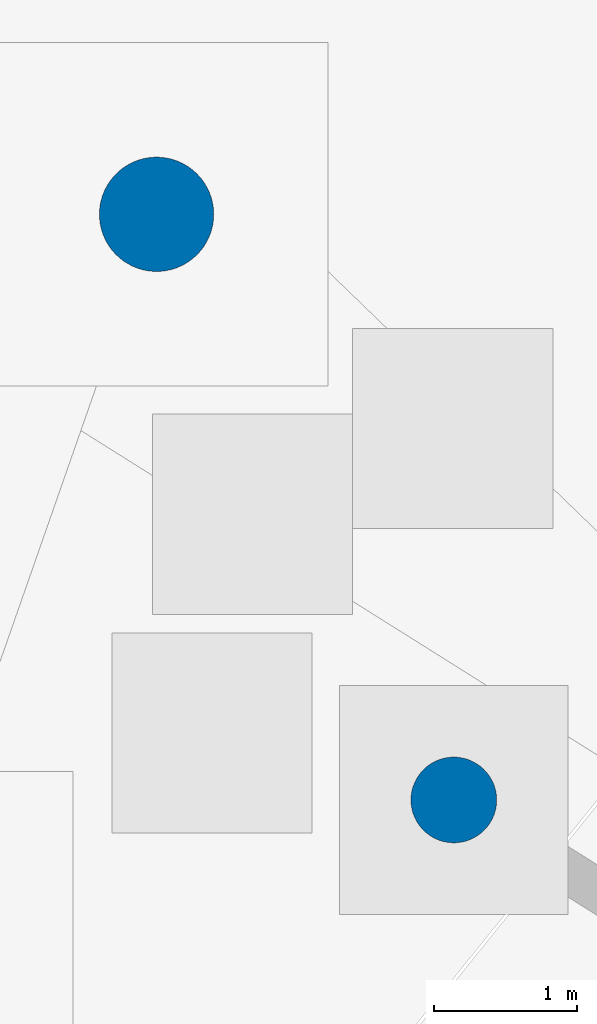
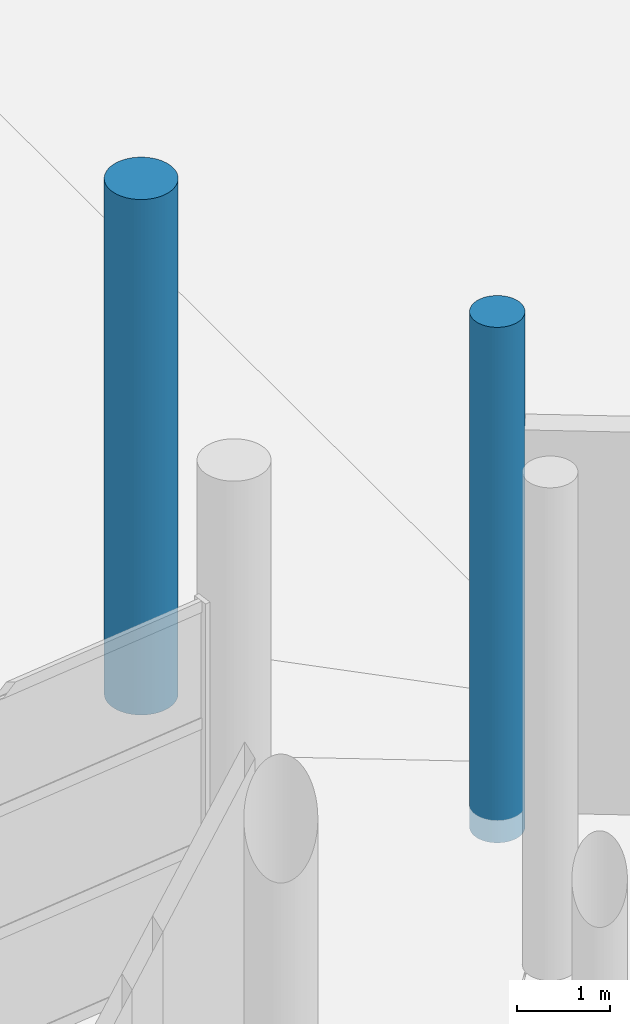
# One storey, part 15 of 255: 2 columns.
"""IFC4 building model written with IfcOpenShell, lengths in metres."""

from ifc_helpers import new_model, si_unit, direction, frame, origin, origin_2d, place, context, subcontext, project, spatial, circle, extrude, material, material_profile, profile_set, type_object, element, save


model = new_model("IFC4")

# Units and contexts
model_context = context("Model", 3, precision=1e-05, world=origin(), true_north=direction((0.0, 1.0)))
body_context = subcontext(model_context, "Body", "Model", "MODEL_VIEW")
ifc_project = project(units=[si_unit("LENGTHUNIT", "METRE"), si_unit("AREAUNIT", "SQUARE_METRE"), si_unit("VOLUMEUNIT", "CUBIC_METRE"), si_unit("PLANEANGLEUNIT", "RADIAN"), si_unit("MASSUNIT", "GRAM", prefix="KILO")], contexts=[model_context])

# Site, building, storey
site_placement = place(None, origin())
site = spatial("IfcSite", under=ifc_project, at=site_placement, CompositionType="ELEMENT")
building_placement = place(site_placement, origin())
building = spatial("IfcBuilding", under=site, at=building_placement, Name="Meseta Stadium", CompositionType="ELEMENT")
storey_placement = place(building_placement, origin())
storey = spatial("IfcBuildingStorey", under=building, at=storey_placement, Name="L00", CompositionType="ELEMENT", Elevation=0.0)

# Columns
ifc_material_1 = material(Name="Concrete C40/50", Category="concrete")
ifc_material_profile_1 = material_profile(ifc_material_1, circle(Radius=0.300048828125, at=origin_2d()), Name="RC D600")
ifc_profile_set_1 = profile_set([ifc_material_profile_1], Name="Concrete C40/50")
column_type_1 = type_object("IfcColumnType", Name="Gate column D600", PredefinedType="COLUMN", material=ifc_profile_set_1)
column_1_placement = place(storey_placement, frame((70.15380859375, 108.991455078125, -0.300048828125), z_axis=(0.0, 0.0, 1.0), x_axis=(1.0, 0.0, 0.0)))
element("IfcColumn", 1, at=column_1_placement, inside=storey, type_object=column_type_1, Name="Gate 2 column L00", PredefinedType="COLUMN", context=body_context, shape_type="SweptSolid", body=[
    extrude(circle(Radius=0.300048828125, at=origin_2d()), origin(), (0.0, 0.0, 1.0), 6.800048828125),
])
ifc_material_2 = material(Name="Concrete C40/50", Category="concrete")
ifc_material_profile_2 = material_profile(ifc_material_2, circle(Radius=0.39990234375, at=origin_2d()), Name="RC D800")
ifc_profile_set_2 = profile_set([ifc_material_profile_2], Name="Concrete C40/50")
column_type_2 = type_object("IfcColumnType", Name="RC column D800", PredefinedType="COLUMN", material=ifc_profile_set_2)
column_2_placement = place(storey_placement, frame((68.0751953125, 113.0869140625, -0.300048828125), z_axis=(0.0, 0.0, 1.0), x_axis=(1.0, 0.0, 0.0)))
element("IfcColumn", 2, at=column_2_placement, inside=storey, type_object=column_type_2, Name="Ring column C8 L00 frame 14 line O", PredefinedType="COLUMN", context=body_context, shape_type="SweptSolid", body=[
    extrude(circle(Radius=0.39990234375, at=origin_2d()), origin(), (0.0, 0.0, 1.0), 6.800048828125),
])

save(model, "model.ifc")
